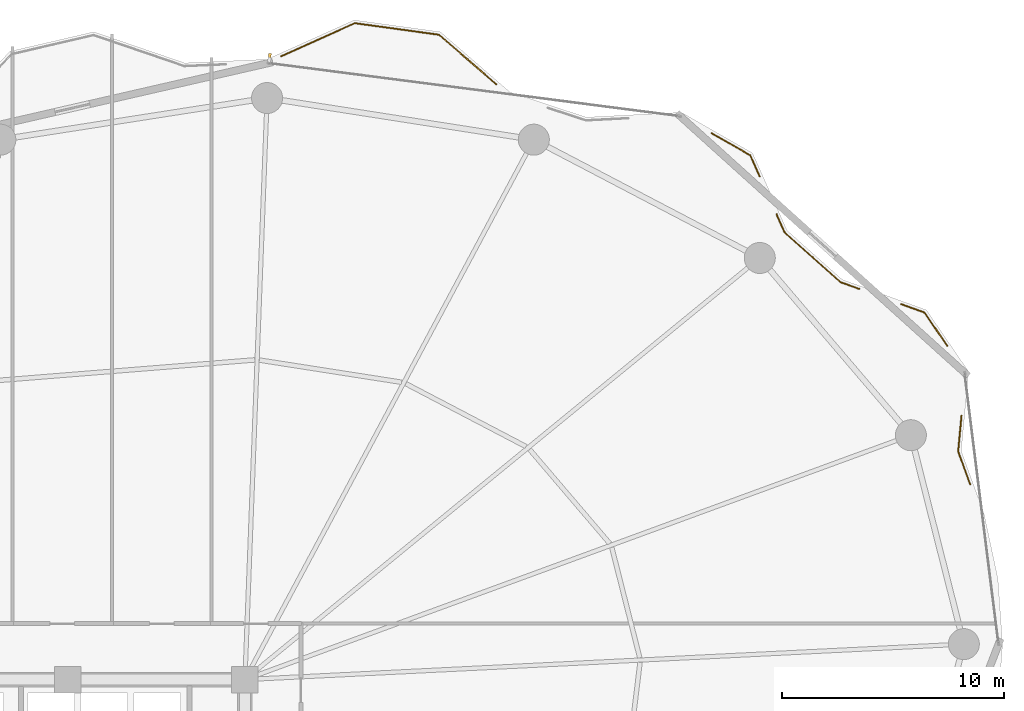
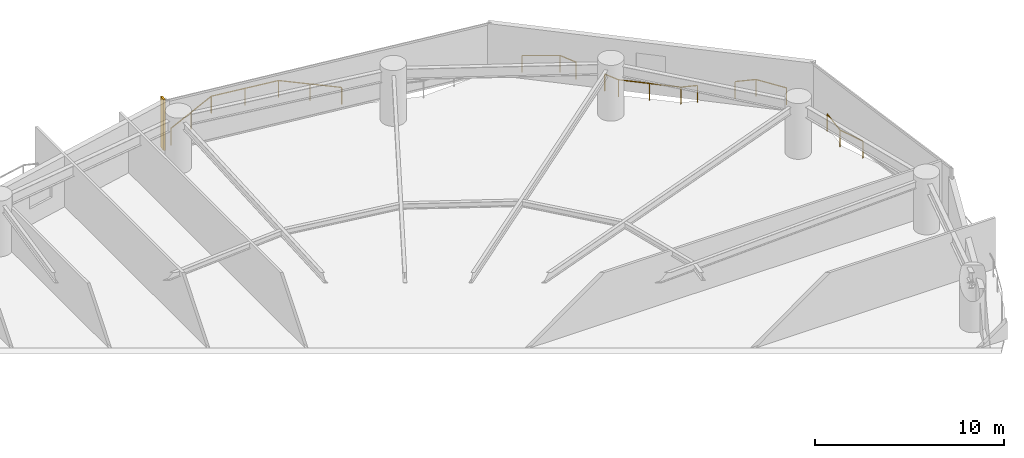
# One storey, part 30 of 30: 5 railings, 1 shading device.
"""IFC4 building model written with IfcOpenShell, lengths in metres."""

from ifc_helpers import new_model, si_unit, direction, frame, origin, origin_2d, place, context, subcontext, project, spatial, rectangle, extrude, material, type_object, element, save


model = new_model("IFC4")

# Units and contexts
model_context = context("Model", 3, precision=1e-05, world=origin(), true_north=direction((0.0, 1.0)))
body_context = subcontext(model_context, "Body", "Model", "MODEL_VIEW")
ifc_project = project(units=[si_unit("LENGTHUNIT", "METRE"), si_unit("AREAUNIT", "SQUARE_METRE"), si_unit("VOLUMEUNIT", "CUBIC_METRE"), si_unit("PLANEANGLEUNIT", "RADIAN"), si_unit("MASSUNIT", "GRAM", prefix="KILO")], contexts=[model_context])

# Site, building, storey
site_placement = place(None, origin())
site = spatial("IfcSite", under=ifc_project, at=site_placement, CompositionType="ELEMENT")
building_placement = place(site_placement, origin())
building = spatial("IfcBuilding", under=site, at=building_placement, Name="Kazevale Care Tower and Concert Hall", CompositionType="ELEMENT")
storey_placement = place(building_placement, frame((0.0, 0.0, 88.800048828125)))
storey = spatial("IfcBuildingStorey", under=building, at=storey_placement, Name="L23", CompositionType="ELEMENT", Elevation=88.800048828125)

# Railings
ifc_material_1 = material(Name="Anodised Bronze Aluminium and Laminated Glass", Category="aluminium")
railing_type = type_object("IfcRailingType", Name="Balcony and Terrace Balustrade 1120", PredefinedType="BALUSTRADE", material=ifc_material_1)
railing_1_placement = place(storey_placement, frame((45.62890625, 64.530029296875, 0.0)))
element("IfcRailing", 1, at=railing_1_placement, inside=storey, type_object=railing_type, Name="rail:L23:perim:6", PredefinedType="BALUSTRADE", context=body_context, shape_type="SweptSolid", body=[
    extrude(rectangle(XDim=0.048095703125, YDim=0.048095703125, at=origin_2d()), frame((0.0, 0.0, 1.09619140625), z_axis=(0.911836353888, 0.410553849975, 0.0), x_axis=(-0.410553849975, 0.911836353888, 0.0)), (0.0, 0.0, 1.0), 3.64892578125),
    extrude(rectangle(XDim=0.048095703125, YDim=0.048095703125, at=origin_2d()), frame((3.3271484375, 1.498046875, 1.09619140625), z_axis=(0.990721148466, -0.13591028652, 0.0), x_axis=(0.13591028652, 0.990721148466, 0.0)), (0.0, 0.0, 1.0), 3.840576171875),
    extrude(rectangle(XDim=0.048095703125, YDim=0.048095703125, at=origin_2d()), frame((7.132080078125, 0.97607421875, 1.09619140625), z_axis=(0.756211663975, -0.654327073617, 0.0), x_axis=(0.654327073617, 0.756211663975, 0.0)), (0.0, 0.0, 1.0), 3.405029296875),
    extrude(rectangle(XDim=0.0419921875, YDim=0.0419921875, at=origin_2d()), origin(), (0.0, 0.0, 1.0), 1.072021484375),
    extrude(rectangle(XDim=0.0419921875, YDim=0.0419921875, at=origin_2d()), frame((1.66357421875, 0.7490234375, 0.0)), (0.0, 0.0, 1.0), 1.072021484375),
    extrude(rectangle(XDim=0.0419921875, YDim=0.0419921875, at=origin_2d()), frame((3.3271484375, 1.498046875, 0.0)), (0.0, 0.0, 1.0), 1.072021484375),
    extrude(rectangle(XDim=0.0419921875, YDim=0.0419921875, at=origin_2d()), frame((5.2294921875, 1.237060546875, 0.0)), (0.0, 0.0, 1.0), 1.072021484375),
    extrude(rectangle(XDim=0.0419921875, YDim=0.0419921875, at=origin_2d()), frame((7.132080078125, 0.97607421875, 0.0)), (0.0, 0.0, 1.0), 1.072021484375),
    extrude(rectangle(XDim=0.0419921875, YDim=0.0419921875, at=origin_2d()), frame((8.41943359375, -0.137939453125, 0.0)), (0.0, 0.0, 1.0), 1.072021484375),
    extrude(rectangle(XDim=0.0419921875, YDim=0.0419921875, at=origin_2d()), frame((9.70703125, -1.251953125, 0.0)), (0.0, 0.0, 1.0), 1.072021484375),
])
railing_2_placement = place(storey_placement, frame((65.068115234375, 61.06103515625, 0.0)))
element("IfcRailing", 2, at=railing_2_placement, inside=storey, type_object=railing_type, Name="rail:L23:perim:8", PredefinedType="BALUSTRADE", context=body_context, shape_type="SweptSolid", body=[
    extrude(rectangle(XDim=0.048095703125, YDim=0.048095703125, at=origin_2d()), frame((0.0, 0.0, 1.09619140625), z_axis=(0.867792636199, -0.49692649412, 0.0), x_axis=(0.49692649412, 0.867792636199, 0.0)), (0.0, 0.0, 1.0), 2.00244140625),
    extrude(rectangle(XDim=0.048095703125, YDim=0.048095703125, at=origin_2d()), frame((1.73779296875, -0.9951171875, 1.09619140625), z_axis=(0.407540067142, -0.913187326716, 0.0), x_axis=(0.913187326716, 0.407540067142, 0.0)), (0.0, 0.0, 1.0), 1.050048828125),
    extrude(rectangle(XDim=0.0419921875, YDim=0.0419921875, at=origin_2d()), origin(), (0.0, 0.0, 1.0), 1.072021484375),
    extrude(rectangle(XDim=0.0419921875, YDim=0.0419921875, at=origin_2d()), frame((1.73779296875, -0.9951171875, 0.0)), (0.0, 0.0, 1.0), 1.072021484375),
    extrude(rectangle(XDim=0.0419921875, YDim=0.0419921875, at=origin_2d()), frame((2.165771484375, -1.9541015625, 0.0)), (0.0, 0.0, 1.0), 1.072021484375),
])
railing_3_placement = place(storey_placement, frame((67.998046875, 57.39404296875, 0.0)))
element("IfcRailing", 3, at=railing_3_placement, inside=storey, type_object=railing_type, Name="rail:L23:perim:9", PredefinedType="BALUSTRADE", context=body_context, shape_type="SweptSolid", body=[
    extrude(rectangle(XDim=0.048095703125, YDim=0.048095703125, at=origin_2d()), frame((0.0, 0.0, 1.09619140625), z_axis=(0.407642654708, -0.913141536709, 0.0), x_axis=(0.913141536709, 0.407642654708, 0.0)), (0.0, 0.0, 1.0), 0.88818359375),
    extrude(rectangle(XDim=0.048095703125, YDim=0.048095703125, at=origin_2d()), frame((0.362060546875, -0.81103515625, 1.09619140625), z_axis=(0.747170017906, -0.664632954601, 0.0), x_axis=(0.664632954601, 0.747170017906, 0.0)), (0.0, 0.0, 1.0), 3.3779296875),
    extrude(rectangle(XDim=0.048095703125, YDim=0.048095703125, at=origin_2d()), frame((2.885986328125, -3.05615234375, 1.09619140625), z_axis=(0.939992660794, -0.341194662404, 0.0), x_axis=(0.341194662404, 0.939992660794, 0.0)), (0.0, 0.0, 1.0), 0.893798828125),
    extrude(rectangle(XDim=0.0419921875, YDim=0.0419921875, at=origin_2d()), origin(), (0.0, 0.0, 1.0), 1.072021484375),
    extrude(rectangle(XDim=0.0419921875, YDim=0.0419921875, at=origin_2d()), frame((0.362060546875, -0.81103515625, 0.0)), (0.0, 0.0, 1.0), 1.072021484375),
    extrude(rectangle(XDim=0.0419921875, YDim=0.0419921875, at=origin_2d()), frame((1.6240234375, -1.93359375, 0.0)), (0.0, 0.0, 1.0), 1.072021484375),
    extrude(rectangle(XDim=0.0419921875, YDim=0.0419921875, at=origin_2d()), frame((2.885986328125, -3.05615234375, 0.0)), (0.0, 0.0, 1.0), 1.072021484375),
    extrude(rectangle(XDim=0.0419921875, YDim=0.0419921875, at=origin_2d()), frame((3.72607421875, -3.361083984375, 0.0)), (0.0, 0.0, 1.0), 1.072021484375),
])
railing_4_placement = place(storey_placement, frame((73.618896484375, 53.347900390625, 0.0)))
element("IfcRailing", 4, at=railing_4_placement, inside=storey, type_object=railing_type, Name="rail:L23:perim:10", PredefinedType="BALUSTRADE", context=body_context, shape_type="SweptSolid", body=[
    extrude(rectangle(XDim=0.048095703125, YDim=0.048095703125, at=origin_2d()), frame((0.0, 0.0, 1.09619140625), z_axis=(0.940402926023, -0.340062254195, 0.0), x_axis=(0.340062254195, 0.940402926023, 0.0)), (0.0, 0.0, 1.0), 1.119873046875),
    extrude(rectangle(XDim=0.048095703125, YDim=0.048095703125, at=origin_2d()), frame((1.05322265625, -0.380859375, 1.09619140625), z_axis=(0.565260397134, -0.824912530777, 0.0), x_axis=(0.824912530777, 0.565260397134, 0.0)), (0.0, 0.0, 1.0), 1.80615234375),
    extrude(rectangle(XDim=0.0419921875, YDim=0.0419921875, at=origin_2d()), origin(), (0.0, 0.0, 1.0), 1.072021484375),
    extrude(rectangle(XDim=0.0419921875, YDim=0.0419921875, at=origin_2d()), frame((1.05322265625, -0.380859375, 0.0)), (0.0, 0.0, 1.0), 1.072021484375),
    extrude(rectangle(XDim=0.0419921875, YDim=0.0419921875, at=origin_2d()), frame((2.07421875, -1.870849609375, 0.0)), (0.0, 0.0, 1.0), 1.072021484375),
])
railing_5_placement = place(storey_placement, frame((76.343994140625, 48.31298828125, 0.0)))
element("IfcRailing", 5, at=railing_5_placement, inside=storey, type_object=railing_type, Name="rail:L23:perim:12", PredefinedType="BALUSTRADE", context=body_context, shape_type="SweptSolid", body=[
    extrude(rectangle(XDim=0.048095703125, YDim=0.048095703125, at=origin_2d()), frame((0.0, 0.0, 1.09619140625), z_axis=(-0.091990538764, -0.995759881085, 0.0), x_axis=(0.995759881085, -0.091990538764, 0.0)), (0.0, 0.0, 1.0), 1.618896484375),
    extrude(rectangle(XDim=0.048095703125, YDim=0.048095703125, at=origin_2d()), frame((-0.14892578125, -1.612060546875, 1.09619140625), z_axis=(0.340214675844, -0.940347794351, 0.0), x_axis=(0.940347794351, 0.340214675844, 0.0)), (0.0, 0.0, 1.0), 1.578125),
    extrude(rectangle(XDim=0.0419921875, YDim=0.0419921875, at=origin_2d()), origin(), (0.0, 0.0, 1.0), 1.072021484375),
    extrude(rectangle(XDim=0.0419921875, YDim=0.0419921875, at=origin_2d()), frame((-0.14892578125, -1.612060546875, 0.0)), (0.0, 0.0, 1.0), 1.072021484375),
    extrude(rectangle(XDim=0.0419921875, YDim=0.0419921875, at=origin_2d()), frame((0.387939453125, -3.095947265625, 0.0)), (0.0, 0.0, 1.0), 1.072021484375),
])

# Shading device
ifc_material_2 = material(Name="Honed Ochre Limestone", Category="masonry")
shading_device_type = type_object("IfcShadingDeviceType", Name="Vertical Honed Limestone Fin FIN-01", PredefinedType="USERDEFINED", material=ifc_material_2)
shading_device_placement = place(storey_placement, frame((45.112548828125, 64.47607421875, 0.0), z_axis=(0.0, 0.0, 1.0), x_axis=(0.127930151302, 0.99178318013, 0.0)))
element("IfcShadingDevice", 6, at=shading_device_placement, inside=storey, type_object=shading_device_type, Name="cw:L23:f16:fin", ObjectType="FIN", PredefinedType="USERDEFINED", context=body_context, shape_type="SweptSolid", body=[
    extrude(rectangle(XDim=0.3798828125, YDim=0.1201171875, at=origin_2d()), origin(), (0.0, 0.0, 1.0), 3.280029296875),
])

save(model, "model.ifc")
